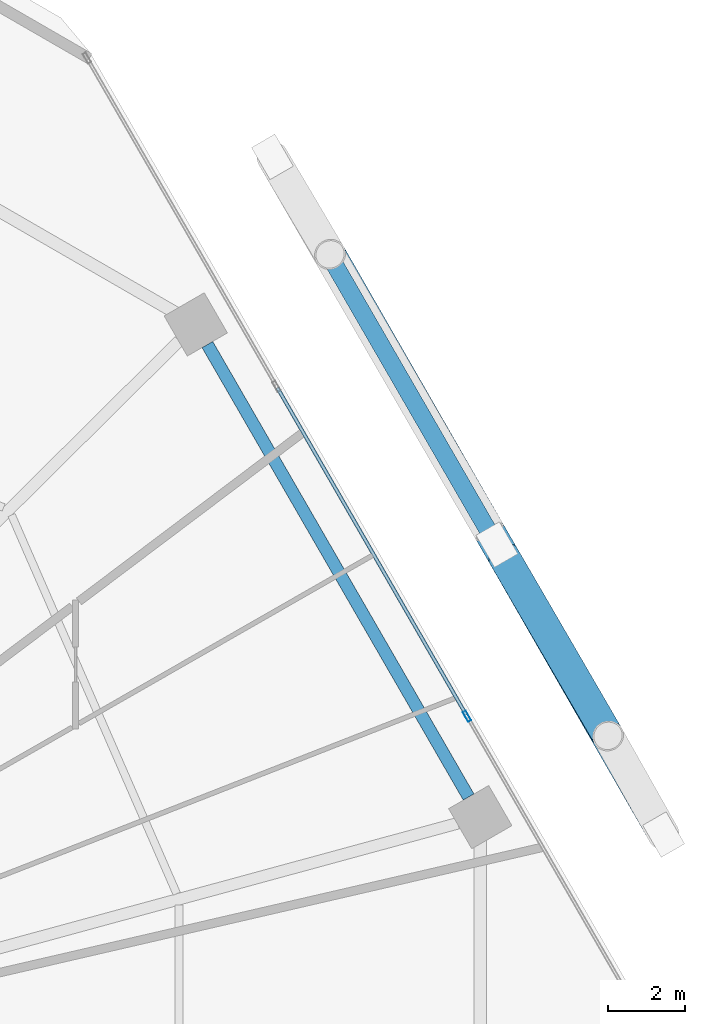
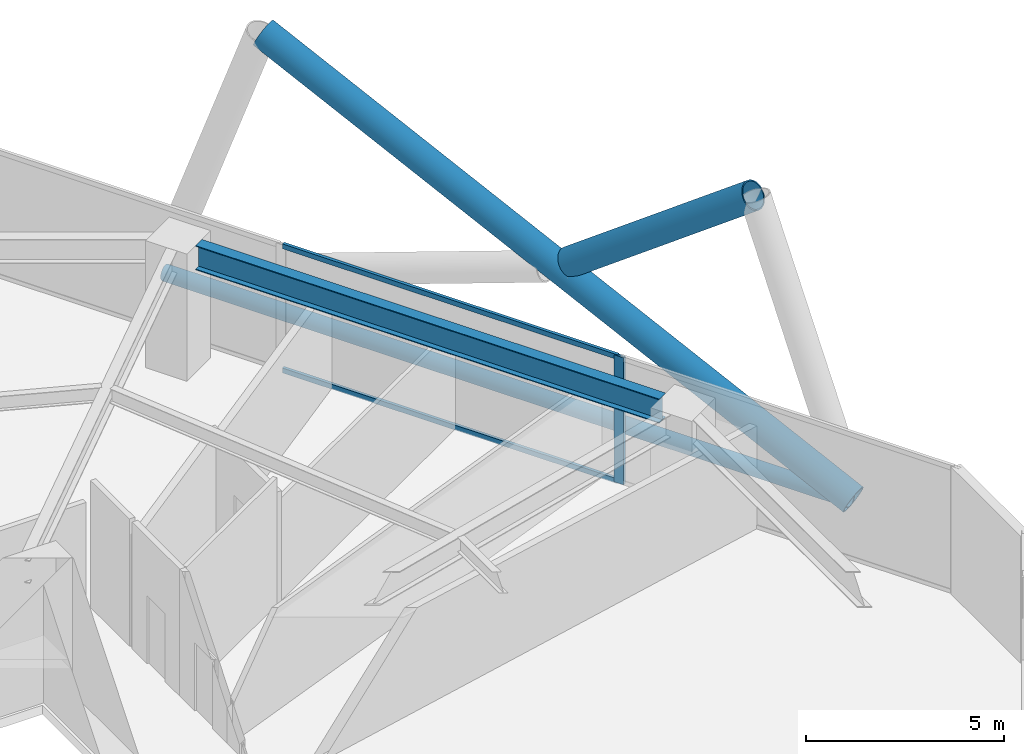
# One storey, part 20 of 29: 6 members, 1 beam, 1 element without a shape of its own.
"""IFC4 building model written with IfcOpenShell, lengths in metres."""

from ifc_helpers import new_model, si_unit, direction, frame, origin, origin_2d, place, context, subcontext, project, spatial, hollow_rectangle, hollow_circle, i_section, extrude, material, material_profile, profile_set, type_object, element, aggregate, save


model = new_model("IFC4")

# Units and contexts
model_context = context("Model", 3, precision=1e-05, world=origin(), true_north=direction((0.0, 1.0)))
body_context = subcontext(model_context, "Body", "Model", "MODEL_VIEW")
ifc_project = project(units=[si_unit("LENGTHUNIT", "METRE"), si_unit("AREAUNIT", "SQUARE_METRE"), si_unit("VOLUMEUNIT", "CUBIC_METRE"), si_unit("PLANEANGLEUNIT", "RADIAN"), si_unit("MASSUNIT", "GRAM", prefix="KILO")], contexts=[model_context])

# Site, building, storey
site_placement = place(None, origin())
site = spatial("IfcSite", under=ifc_project, at=site_placement, CompositionType="ELEMENT")
building_placement = place(site_placement, origin())
building = spatial("IfcBuilding", under=site, at=building_placement, Name="Zuhravey Tower", CompositionType="ELEMENT")
storey_placement = place(building_placement, frame((0.0, 0.0, 41.39990234375)))
storey = spatial("IfcBuildingStorey", under=building, at=storey_placement, Name="L10", CompositionType="ELEMENT", Elevation=41.39990234375)

# Curtain wall, members
ifc_material_1 = material(Name="Thermally broken anodised aluminium", Category="aluminium")
curtain_wall_type = type_object("IfcCurtainWallType", Name="School Low-E Unitised Curtain Wall CW1", PredefinedType="NOTDEFINED", material=ifc_material_1)
curtain_wall_placement = place(storey_placement, origin())
curtain_wall = element("IfcCurtainWall", 1, at=curtain_wall_placement, inside=storey, type_object=curtain_wall_type, Name="L10 CW1 CW-L10-F1-1", PredefinedType="NOTDEFINED")
ifc_material_2 = material(Name="Anodised aluminium", Category="aluminium")
ifc_material_profile_1 = material_profile(ifc_material_2, hollow_rectangle(XDim=0.090087890625, YDim=0.284912109375, WallThickness=0.0048828125, at=origin_2d()), Name="ALU-RHS-90x285x5")
ifc_profile_set_1 = profile_set([ifc_material_profile_1], Name="Anodised aluminium")
member_type_1 = type_object("IfcMemberType", Name="Curtain-Wall Mullion 90x180", PredefinedType="MULLION", material=ifc_profile_set_1)
member_1_placement = place(storey_placement, frame((63.54541015625, 42.20703125, 0.0), z_axis=(0.0, 0.0, 1.0), x_axis=(0.86602552265, 0.499999794119, 0.0)))
member_1 = element("IfcMember", 2, at=member_1_placement, type_object=member_type_1, Name="CW1 mullion 3", PredefinedType="MULLION", context=body_context, shape_type="SweptSolid", body=[
    extrude(hollow_rectangle(XDim=0.090087890625, YDim=0.284912109375, WallThickness=0.0048828125, at=origin_2d()), origin(), (0.0, 0.0, 1.0), 3.920166015625),
])
ifc_material_profile_2 = material_profile(ifc_material_2, hollow_rectangle(XDim=0.090087890625, YDim=0.14990234375, WallThickness=0.0048828125, at=origin_2d()), Name="ALU-RHS-90x150x5")
ifc_profile_set_2 = profile_set([ifc_material_profile_2], Name="Anodised aluminium")
member_type_2 = type_object("IfcMemberType", Name="Curtain-Wall Transom 90x150", PredefinedType="USERDEFINED", material=ifc_profile_set_2)
member_2_placement = place(storey_placement, frame((58.634765625, 50.712646484375, 0.045166015625), z_axis=(0.499990498062, -0.866030889661, 0.0), x_axis=(0.866030889661, 0.499990498062, 0.0)))
member_2 = element("IfcMember", 3, at=member_2_placement, type_object=member_type_2, Name="CW1 transom 2.1", ObjectType="TRANSOM", PredefinedType="USERDEFINED", context=body_context, shape_type="SweptSolid", body=[
    extrude(hollow_rectangle(XDim=0.090087890625, YDim=0.14990234375, WallThickness=0.0048828125, at=origin_2d()), origin(), (0.0, 0.0, 1.0), 9.776611328125),
])
member_3_placement = place(storey_placement, frame((58.634765625, 50.712646484375, 3.875), z_axis=(0.499990498062, -0.866030889661, 0.0), x_axis=(0.866030889661, 0.499990498062, 0.0)))
member_3 = element("IfcMember", 4, at=member_3_placement, type_object=member_type_2, Name="CW1 transom 2.2", ObjectType="TRANSOM", PredefinedType="USERDEFINED", context=body_context, shape_type="SweptSolid", body=[
    extrude(hollow_rectangle(XDim=0.090087890625, YDim=0.14990234375, WallThickness=0.0048828125, at=origin_2d()), origin(), (0.0, 0.0, 1.0), 9.776611328125),
])
aggregate(curtain_wall, [member_1, member_2, member_3])

# Members
ifc_material_3 = material(Name="Steel SM355", Category="steel")
ifc_material_profile_3 = material_profile(ifc_material_3, hollow_circle(Radius=0.228515625, WallThickness=0.02197265625, at=origin_2d()), Name="CHS-457.2x22")
ifc_profile_set_3 = profile_set([ifc_material_profile_3], Name="Steel SM355")
member_type_3 = type_object("IfcMemberType", Name="Exoskeleton Ring Tie CHS457x22", PredefinedType="CHORD", material=ifc_profile_set_3)
member_4_placement = place(storey_placement, frame((68.5712890625, 39.26171875, -0.493896484375), z_axis=(-0.500001503855, 0.866024535532, 0.0), x_axis=(-0.866024535532, -0.500001503855, 0.0)))
element("IfcMember", 5, at=member_4_placement, inside=storey, type_object=member_type_3, Name="L10 Exoskeleton Face 1 Tie EXR1", PredefinedType="CHORD", context=body_context, shape_type="SweptSolid", body=[
    extrude(hollow_circle(Radius=0.228515625, WallThickness=0.02197265625, at=origin_2d()), origin(), (0.0, 0.0, 1.0), 19.99365234375),
])
ifc_material_4 = material(Name="Steel SM460", Category="steel")
ifc_material_profile_4 = material_profile(ifc_material_4, hollow_circle(Radius=0.406494140625, WallThickness=0.035888671875, at=origin_2d()), Name="CHS-812.8x36")
ifc_profile_set_4 = profile_set([ifc_material_profile_4], Name="Steel SM460")
member_type_4 = type_object("IfcMemberType", Name="Exoskeleton Zone 1 Diagrid CHS813x36", PredefinedType="BRACE", material=ifc_profile_set_4)
member_5_placement = place(storey_placement, frame((68.61865234375, 39.179931640625, -0.471923828125), z_axis=(-0.448582173106, 0.780090273761, 0.436157309642), x_axis=(-0.866891768768, -0.498496400431, 0.0)))
element("IfcMember", 6, at=member_5_placement, inside=storey, type_object=member_type_4, Name="L10 Face 1 Diagrid Brace 2", PredefinedType="BRACE", context=body_context, shape_type="SweptSolid", body=[
    extrude(hollow_circle(Radius=0.406494140625, WallThickness=0.035888671875, at=origin_2d()), origin(), (0.0, 0.0, 1.0), 19.158203125),
])
member_6_placement = place(storey_placement, frame((64.482177734375, 46.3759765625, 3.940673828125), z_axis=(0.404897066757, -0.697108611354, 0.591690754793), x_axis=(0.86472197136, 0.502250845939, 0.0)))
element("IfcMember", 7, at=member_6_placement, inside=storey, type_object=member_type_4, Name="L10 Face 1 Split Diagrid Brace 3B", PredefinedType="BRACE", context=body_context, shape_type="SweptSolid", body=[
    extrude(hollow_circle(Radius=0.406494140625, WallThickness=0.035888671875, at=origin_2d()), origin(), (0.0, 0.0, 1.0), 6.6513671875),
])

# Beam
ifc_material_profile_5 = material_profile(ifc_material_3, i_section(OverallWidth=0.320068359375, OverallDepth=0.75, WebThickness=0.013916015625, FlangeThickness=0.02490234375, at=origin_2d()), Name="H-750x320x14x25")
ifc_profile_set_5 = profile_set([ifc_material_profile_5], Name="Steel SM355")
beam_type = type_object("IfcBeamType", Name="Perimeter Ring Beam H750x320", PredefinedType="BEAM", material=ifc_profile_set_5)
beam_placement = place(storey_placement, frame((63.587646484375, 40.11376953125, 3.545166015625), z_axis=(-0.499999877243, 0.866025474658, 0.0), x_axis=(-0.866025474658, -0.499999877243, 0.0)))
element("IfcBeam", 8, at=beam_placement, inside=storey, type_object=beam_type, Name="L10 PB1 BM-L10-PB-01", PredefinedType="BEAM", context=body_context, shape_type="SweptSolid", body=[
    extrude(i_section(OverallWidth=0.320068359375, OverallDepth=0.75, WebThickness=0.013916015625, FlangeThickness=0.02490234375, at=origin_2d()), origin(), (0.0, 0.0, 1.0), 13.5341796875),
])

save(model, "model.ifc")
